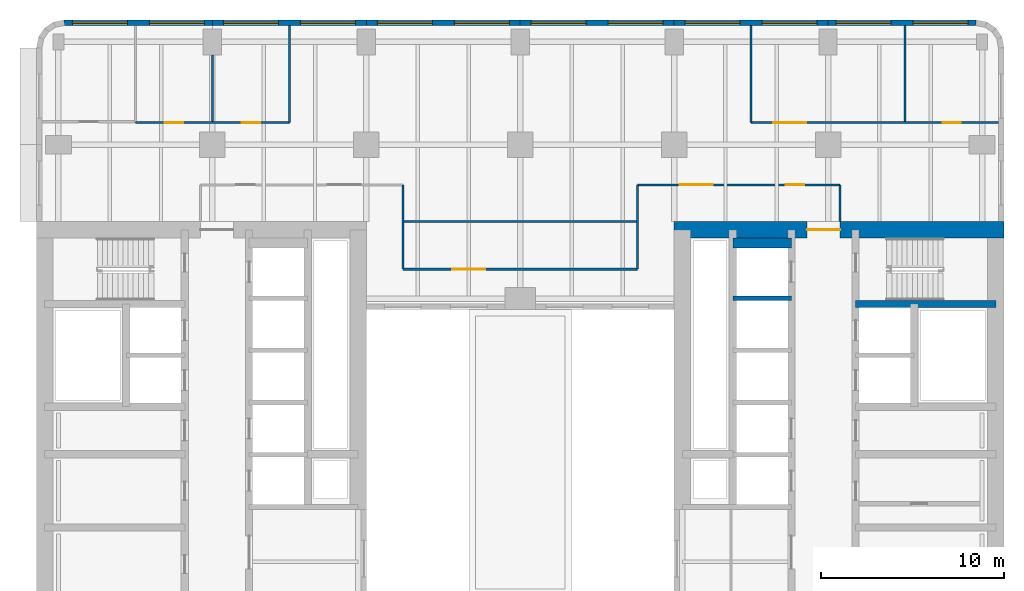
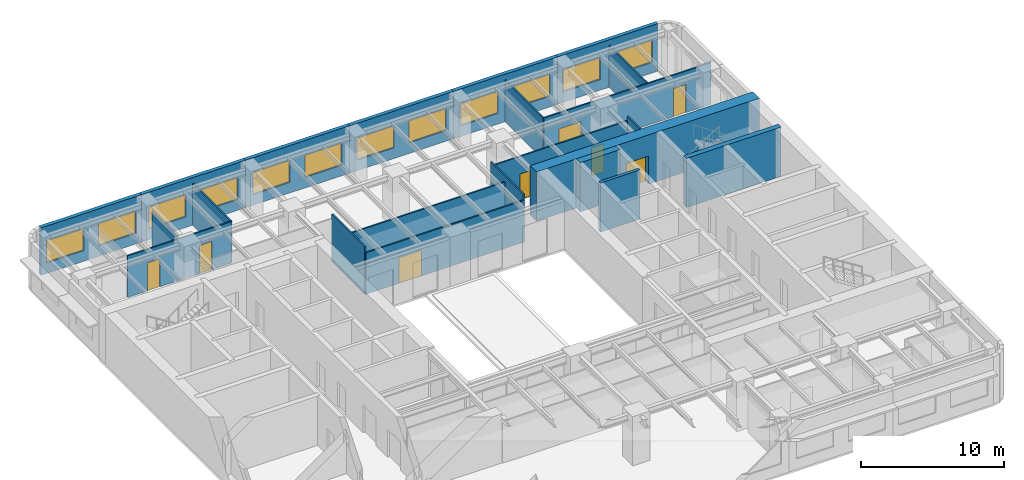
# One storey, part 7 of 14: 22 walls, 12 windows, 8 doors, 20 openings.
"""IFC4 building model written with IfcOpenShell, lengths in metres."""

import ifcopenshell
import ifcopenshell.guid

model = None  # the IFC model being written
_history = None  # IfcOwnerHistory: only IFC2X3 demands one
_inside = {}  # id of a spatial element -> (the spatial element, [elements in it])
_under = {}  # id of a project, library or spatial element -> (it, [spatial elements below it])
_declared = {}  # id of a project -> (the project, [libraries it declares])
_typed = {}  # id of a type object -> (the type object, [elements of that type])
_made_of = {}  # id of a material, layer set ... -> (it, [elements and type objects made of it])


def new_model(schema):
    """Start an empty IFC model of exactly this schema.

    Asked for "IFC4X3", IfcOpenShell would pick the latest addendum, in which some entities
    have other attributes; the version numbers below select the first issue.
    IFC2X3 requires an IfcOwnerHistory on every rooted entity: one is made here for all.
    """
    global model, _history
    if schema == "IFC4X3":
        model = ifcopenshell.file(schema_version=(4, 3, 0, 0))
    else:
        model = ifcopenshell.file(schema=schema)
    _inside.clear()
    _under.clear()
    _declared.clear()
    _typed.clear()
    _made_of.clear()
    _history = None
    if model.schema == "IFC2X3":
        org = make("IfcOrganization", Name="unknown")
        user = make(
            "IfcPersonAndOrganization",
            ThePerson=make("IfcPerson", FamilyName="unknown"),
            TheOrganization=org,
        )
        app = make(
            "IfcApplication",
            ApplicationDeveloper=org,
            Version="unknown",
            ApplicationFullName="unknown",
            ApplicationIdentifier="unknown",
        )
        _history = make(
            "IfcOwnerHistory",
            OwningUser=user,
            OwningApplication=app,
            ChangeAction="ADDED",
            CreationDate=0,
        )
    return model


def make(cls, **values):
    """One entity of the class cls with the attributes given. An attribute that is None is left unset."""
    return model.create_entity(
        cls, **{name: value for name, value in values.items() if value is not None}
    )


def rooted(cls, **values):
    """An entity with a GlobalId (a new one), such as an element, a storey or a relation."""
    return make(cls, GlobalId=ifcopenshell.guid.new(), OwnerHistory=_history, **values)


def si_unit(unit_type, name, prefix=None):
    """IfcSIUnit, for example si_unit("LENGTHUNIT", "METRE", prefix="MILLI")."""
    return make("IfcSIUnit", UnitType=unit_type, Prefix=prefix, Name=name)


def assignment(units):
    """IfcUnitAssignment: the units of a project."""
    return None if units is None else make("IfcUnitAssignment", Units=units)


def point(xyz):
    """IfcCartesianPoint."""
    return None if xyz is None else make("IfcCartesianPoint", Coordinates=xyz)


def direction(xyz):
    """IfcDirection."""
    return None if xyz is None else make("IfcDirection", DirectionRatios=xyz)


def frame(location, z_axis=None, x_axis=None):
    """IfcAxis2Placement3D, a coordinate frame: its origin and axes. An axis left out is left unset."""
    return make(
        "IfcAxis2Placement3D",
        Location=point(location),
        Axis=direction(z_axis),
        RefDirection=direction(x_axis),
    )


def frame_2d(location, x_axis=None):
    """IfcAxis2Placement2D, a coordinate frame in the plane: its origin and x axis."""
    return make(
        "IfcAxis2Placement2D", Location=point(location), RefDirection=direction(x_axis)
    )


def origin():
    """The frame at (0, 0, 0) with its axes left unset."""
    return frame((0.0, 0.0, 0.0))


def place(relative_to, where):
    """IfcLocalPlacement: puts the frame where relative to a parent placement (None: the world)."""
    return make(
        "IfcLocalPlacement", PlacementRelTo=relative_to, RelativePlacement=where
    )


def context(
    kind, dimensions, precision=None, world=None, true_north=None, identifier=None
):
    """IfcGeometricRepresentationContext, for example the 3D "Model" context."""
    return make(
        "IfcGeometricRepresentationContext",
        ContextIdentifier=identifier,
        ContextType=kind,
        CoordinateSpaceDimension=dimensions,
        Precision=precision,
        WorldCoordinateSystem=world,
        TrueNorth=true_north,
    )


def subcontext(parent, identifier, kind, view, scale=None):
    """IfcGeometricRepresentationSubContext, for example "Body" below "Model"."""
    return make(
        "IfcGeometricRepresentationSubContext",
        ContextIdentifier=identifier,
        ContextType=kind,
        ParentContext=parent,
        TargetScale=scale,
        TargetView=view,
    )


def project(units=None, contexts=None):
    """IfcProject with its units and contexts."""
    return rooted(
        "IfcProject",
        Name="project",
        RepresentationContexts=contexts,
        UnitsInContext=assignment(units),
    )


def spatial(cls, under=None, at=None, **own):
    """A site, building, storey or space (cls), placed at a placement, below another one or the project."""
    s = rooted(cls, ObjectPlacement=at, **own)
    if under is not None:
        _under.setdefault(under.id(), (under, []))[1].append(s)
    return s


def profile(cls, at=None, kind="AREA", **sizes):
    """A parametric profile (cls). Its sizes go by their IFC names, for example OverallWidth=200.0."""
    return make(cls, ProfileType=kind, Position=at, **sizes)


def rectangle(**sizes):
    """IfcRectangleProfileDef."""
    return profile("IfcRectangleProfileDef", **sizes)


def extrude(swept, where, along, depth):
    """IfcExtrudedAreaSolid: the profile swept, set in the frame where, extruded along a direction by depth."""
    return make(
        "IfcExtrudedAreaSolid",
        SweptArea=swept,
        Position=where,
        ExtrudedDirection=direction(along),
        Depth=depth,
    )


def shape(context_of_items, identifier, shape_type, items):
    """IfcShapeRepresentation: the items that make up one representation, for example the "Body"."""
    return make(
        "IfcShapeRepresentation",
        ContextOfItems=context_of_items,
        RepresentationIdentifier=identifier,
        RepresentationType=shape_type,
        Items=items,
    )


def material(Name=None, Category=None):
    """IfcMaterial."""
    return make("IfcMaterial", Name=Name, Category=Category)


def layer(
    of_material, thickness, ventilated=None, Name=None, Category=None, Priority=None
):
    """IfcMaterialLayer: one layer of a wall or slab, of a material (None: an air gap)."""
    return make(
        "IfcMaterialLayer",
        Material=of_material,
        LayerThickness=thickness,
        IsVentilated=ventilated,
        Name=Name,
        Category=Category,
        Priority=Priority,
    )


def layer_set(layers, Name=None):
    """IfcMaterialLayerSet."""
    return make("IfcMaterialLayerSet", MaterialLayers=layers, LayerSetName=Name)


def made_of(thing, what):
    """Note that an element or type object is made of a material, layer set ...; save() writes the relation."""
    if what is not None:
        _made_of.setdefault(what.id(), (what, []))[1].append(thing)
    return thing


def type_object(cls, material=None, **own):
    """A type object (cls), such as IfcWallType, which elements share."""
    return made_of(rooted(cls, **own), material)


def element(
    cls,
    number,
    at=None,
    inside=None,
    cuts=None,
    type_object=None,
    material=None,
    context=None,
    identifier="Body",
    shape_type=None,
    held_by="IfcProductDefinitionShape",
    body=None,
    shapes=None,
    **own,
):
    """One element of the class cls, such as IfcWall. Its Tag is "e" and its number.

    at: its placement. inside: the storey or other place that contains it. cuts: it is an
    opening in that element (IfcRelVoidsElement). A single representation is given by context,
    identifier, shape_type and body (its items); several are given by shapes. held_by: the class
    of the entity that holds the representations. save() writes the other relations.
    """
    e = rooted(cls, Tag="e%d" % number, ObjectPlacement=at, **own)
    if body is not None:
        shapes = [shape(context, identifier, shape_type, body)]
    if shapes is not None:
        e.Representation = make(held_by, Representations=shapes)
    if inside is not None:
        _inside.setdefault(inside.id(), (inside, []))[1].append(e)
    if cuts is not None:
        rooted(
            "IfcRelVoidsElement", RelatingBuildingElement=cuts, RelatedOpeningElement=e
        )
    if type_object is not None:
        _typed.setdefault(type_object.id(), (type_object, []))[1].append(e)
    return made_of(e, material)


def fill(opening, filler):
    """IfcRelFillsElement: the door or window that sits in an opening."""
    return rooted(
        "IfcRelFillsElement",
        RelatingOpeningElement=opening,
        RelatedBuildingElement=filler,
    )


def aggregate(whole, parts):
    """IfcRelAggregates: a whole, such as a stair, and the parts it consists of."""
    return rooted("IfcRelAggregates", RelatingObject=whole, RelatedObjects=parts)


def save(model, path):
    """Write the relations noted so far, then the file.

    IfcRelAggregates (storeys below a building ...), IfcRelContainedInSpatialStructure (elements
    in a storey), IfcRelDefinesByType, IfcRelAssociatesMaterial and IfcRelDeclares: one each for
    every whole, place, type object, material and project.
    """
    for whole, parts in _under.values():
        aggregate(whole, parts)
    for where, things in _inside.values():
        rooted(
            "IfcRelContainedInSpatialStructure",
            RelatedElements=things,
            RelatingStructure=where,
        )
    for kind, things in _typed.values():
        rooted("IfcRelDefinesByType", RelatedObjects=things, RelatingType=kind)
    for what, things in _made_of.values():
        rooted("IfcRelAssociatesMaterial", RelatedObjects=things, RelatingMaterial=what)
    for by, libraries in _declared.values():
        rooted("IfcRelDeclares", RelatingContext=by, RelatedDefinitions=libraries)
    model.write(path)


model = new_model("IFC4")

# Units and contexts
model_context = context("Model", 3, precision=1e-05, world=origin(), true_north=direction((0.0, 1.0)))
body_context = subcontext(model_context, "Body", "Model", "MODEL_VIEW")
ifc_project = project(units=[si_unit("LENGTHUNIT", "METRE"), si_unit("AREAUNIT", "SQUARE_METRE"), si_unit("VOLUMEUNIT", "CUBIC_METRE"), si_unit("PLANEANGLEUNIT", "RADIAN"), si_unit("MASSUNIT", "GRAM", prefix="KILO")], contexts=[model_context])

# Site, building, storey
site_placement = place(None, origin())
site = spatial("IfcSite", under=ifc_project, at=site_placement, CompositionType="ELEMENT")
building_placement = place(site_placement, origin())
building = spatial("IfcBuilding", under=site, at=building_placement, Name="Claustro Exchange Tower", CompositionType="ELEMENT")
storey_placement = place(building_placement, frame((0.0, 0.0, 100.800048828125)))
storey = spatial("IfcBuildingStorey", under=building, at=storey_placement, Name="L22", CompositionType="ELEMENT", Elevation=100.800048828125)

# Wall, openings, doors
ifc_material_1 = material(Name="Laminated glass in aluminium frame", Category="aluminium")
ifc_layer_1 = layer(ifc_material_1, 0.1201171875)
ifc_layer_set_1 = layer_set([ifc_layer_1], Name="Laminated glass in aluminium frame")
wall_type_1 = type_object("IfcWallType", Name="P2 120 glazed partition", PredefinedType="PARTITIONING", material=ifc_layer_set_1)
wall_1_placement = place(storey_placement, frame((4.197998046875, 43.199951171875, 0.0), z_axis=(0.0, 0.0, 1.0), x_axis=(1.0, 0.0, 0.0)))
wall_1 = element("IfcWall", 1, at=wall_1_placement, inside=storey, type_object=wall_type_1, Name="Partition P2 L22", PredefinedType="PARTITIONING", context=body_context, shape_type="SweptSolid", body=[
    extrude(rectangle(XDim=8.402099609375, YDim=0.1201171875, at=frame_2d((4.201171875, 0.0))), origin(), (0.0, 0.0, 1.0), 3.550048828125),
])
opening_1_placement = place(wall_1_placement, frame((1.60205078125, 0.0, 0.0)))
opening_1 = element("IfcOpeningElement", 2, at=opening_1_placement, cuts=wall_1, Name="Opening D7", PredefinedType="OPENING", context=body_context, shape_type="SweptSolid", body=[
    extrude(rectangle(XDim=1.0, YDim=2.39990234375, at=frame_2d((0.5, 1.199951171875))), frame((0.0, 0.070068359375, 0.0), z_axis=(0.0, -1.0, 0.0), x_axis=(1.0, 0.0, 0.0)), (0.0, 0.0, 1.0), 0.14013671875),
])
opening_2_placement = place(wall_1_placement, frame((5.802001953125, 0.0, 0.0)))
opening_2 = element("IfcOpeningElement", 3, at=opening_2_placement, cuts=wall_1, Name="Opening D7", PredefinedType="OPENING", context=body_context, shape_type="SweptSolid", body=[
    extrude(rectangle(XDim=1.0, YDim=2.39990234375, at=frame_2d((0.5, 1.199951171875))), frame((0.0, 0.070068359375, 0.0), z_axis=(0.0, -1.0, 0.0), x_axis=(1.0, 0.0, 0.0)), (0.0, 0.0, 1.0), 0.14013671875),
])
ifc_material_2 = material(Name="Glass door in aluminium frame", Category="aluminium")
door_type_1 = type_object("IfcDoorType", Name="D7 1000 x 2400 glazed door", OperationType="SINGLE_SWING_LEFT", PredefinedType="DOOR", material=ifc_material_2)
door_1_placement = place(opening_1_placement, origin())
door_1 = element("IfcDoor", 4, at=door_1_placement, inside=storey, type_object=door_type_1, Name="Door D7 L22", OperationType="SINGLE_SWING_RIGHT", OverallHeight=2.39990234375, OverallWidth=1.0, PredefinedType="DOOR", context=body_context, shape_type="SweptSolid", body=[
    extrude(rectangle(XDim=1.0, YDim=2.39990234375, at=frame_2d((0.5, 1.199951171875))), frame((0.0, 0.02490234375, 0.0), z_axis=(0.0, -1.0, 0.0), x_axis=(1.0, 0.0, 0.0)), (0.0, 0.0, 1.0), 0.050048828125),
])
fill(opening_1, door_1)
door_2_placement = place(opening_2_placement, origin())
door_2 = element("IfcDoor", 5, at=door_2_placement, inside=storey, type_object=door_type_1, Name="Door D7 L22", OperationType="SINGLE_SWING_LEFT", OverallHeight=2.39990234375, OverallWidth=1.0, PredefinedType="DOOR", context=body_context, shape_type="SweptSolid", body=[
    extrude(rectangle(XDim=1.0, YDim=2.39990234375, at=frame_2d((0.5, 1.199951171875))), frame((0.0, 0.02490234375, 0.0), z_axis=(0.0, -1.0, 0.0), x_axis=(1.0, 0.0, 0.0)), (0.0, 0.0, 1.0), 0.050048828125),
])
fill(opening_2, door_2)

# Walls
wall_2_placement = place(storey_placement, frame((8.39990234375, 43.258056640625, 0.0), z_axis=(0.0, 0.0, 1.0), x_axis=(0.0, 1.0, 0.0)))
element("IfcWall", 6, at=wall_2_placement, inside=storey, type_object=wall_type_1, Name="Partition P2 L22", PredefinedType="PARTITIONING", context=body_context, shape_type="SweptSolid", body=[
    extrude(rectangle(XDim=3.642822265625, YDim=0.1201171875, at=frame_2d((1.8212890625, 0.0))), origin(), (0.0, 0.0, 1.0), 3.550048828125),
])
wall_3_placement = place(storey_placement, frame((12.60009765625, 43.199951171875, 0.0), z_axis=(0.0, 0.0, 1.0), x_axis=(0.0, 1.0, 0.0)))
element("IfcWall", 7, at=wall_3_placement, inside=storey, type_object=wall_type_1, Name="Partition P2 L22", PredefinedType="PARTITIONING", context=body_context, shape_type="SweptSolid", body=[
    extrude(rectangle(XDim=5.302001953125, YDim=0.1201171875, at=frame_2d((2.65087890625, 0.0))), origin(), (0.0, 0.0, 1.0), 3.56005859375),
])

# Wall, openings, doors
wall_4_placement = place(storey_placement, frame((37.800048828125, 43.199951171875, 0.0), z_axis=(0.0, 0.0, 1.0), x_axis=(1.0, 0.0, 0.0)))
wall_4 = element("IfcWall", 8, at=wall_4_placement, inside=storey, type_object=wall_type_1, Name="Partition P2 L22", PredefinedType="PARTITIONING", context=body_context, shape_type="SweptSolid", body=[
    extrude(rectangle(XDim=13.501953125, YDim=0.1201171875, at=frame_2d((6.7509765625, 0.0))), origin(), (0.0, 0.0, 1.0), 3.550048828125),
])
opening_3_placement = place(wall_4_placement, frame((1.199951171875, 0.0, 0.0)))
opening_3 = element("IfcOpeningElement", 9, at=opening_3_placement, cuts=wall_4, Name="Opening D2", PredefinedType="OPENING", context=body_context, shape_type="SweptSolid", body=[
    extrude(rectangle(XDim=1.800048828125, YDim=2.199951171875, at=frame_2d((0.89990234375, 1.10009765625))), frame((0.0, 0.070068359375, 0.0), z_axis=(0.0, -1.0, 0.0), x_axis=(1.0, 0.0, 0.0)), (0.0, 0.0, 1.0), 0.14013671875),
])
opening_4_placement = place(wall_4_placement, frame((10.449951171875, 0.0, 0.0)))
opening_4 = element("IfcOpeningElement", 10, at=opening_4_placement, cuts=wall_4, Name="Opening D7", PredefinedType="OPENING", context=body_context, shape_type="SweptSolid", body=[
    extrude(rectangle(XDim=1.0, YDim=2.39990234375, at=frame_2d((0.5, 1.199951171875))), frame((0.0, 0.070068359375, 0.0), z_axis=(0.0, -1.0, 0.0), x_axis=(1.0, 0.0, 0.0)), (0.0, 0.0, 1.0), 0.14013671875),
])
ifc_material_3 = material(Name="Timber door, oak veneer", Category="wood")
door_type_2 = type_object("IfcDoorType", Name="D2 1800 x 2200 double door", OperationType="DOUBLE_DOOR_SINGLE_SWING", PredefinedType="DOOR", material=ifc_material_3)
door_3_placement = place(opening_3_placement, origin())
door_3 = element("IfcDoor", 11, at=door_3_placement, inside=storey, type_object=door_type_2, Name="Double door D2 L22", OperationType="DOUBLE_DOOR_SINGLE_SWING", OverallHeight=2.199951171875, OverallWidth=1.800048828125, PredefinedType="DOOR", context=body_context, shape_type="SweptSolid", body=[
    extrude(rectangle(XDim=1.800048828125, YDim=2.199951171875, at=frame_2d((0.89990234375, 1.10009765625))), frame((0.0, 0.02490234375, 0.0), z_axis=(0.0, -1.0, 0.0), x_axis=(1.0, 0.0, 0.0)), (0.0, 0.0, 1.0), 0.050048828125),
])
fill(opening_3, door_3)
door_4_placement = place(opening_4_placement, origin())
door_4 = element("IfcDoor", 12, at=door_4_placement, inside=storey, type_object=door_type_1, Name="Door D7 L22", OperationType="SINGLE_SWING_LEFT", OverallHeight=2.39990234375, OverallWidth=1.0, PredefinedType="DOOR", context=body_context, shape_type="SweptSolid", body=[
    extrude(rectangle(XDim=1.0, YDim=2.39990234375, at=frame_2d((0.5, 1.199951171875))), frame((0.0, 0.02490234375, 0.0), z_axis=(0.0, -1.0, 0.0), x_axis=(1.0, 0.0, 0.0)), (0.0, 0.0, 1.0), 0.050048828125),
])
fill(opening_4, door_4)

# Walls
wall_5_placement = place(storey_placement, frame((37.800048828125, 43.199951171875, 0.0), z_axis=(0.0, 0.0, 1.0), x_axis=(0.0, 1.0, 0.0)))
element("IfcWall", 13, at=wall_5_placement, inside=storey, type_object=wall_type_1, Name="Partition P2 L22", PredefinedType="PARTITIONING", context=body_context, shape_type="SweptSolid", body=[
    extrude(rectangle(XDim=5.302001953125, YDim=0.1201171875, at=frame_2d((2.65087890625, 0.0))), origin(), (0.0, 0.0, 1.0), 3.56005859375),
])
wall_6_placement = place(storey_placement, frame((46.199951171875, 43.258056640625, 0.0), z_axis=(0.0, 0.0, 1.0), x_axis=(0.0, 1.0, 0.0)))
element("IfcWall", 14, at=wall_6_placement, inside=storey, type_object=wall_type_1, Name="Partition P2 L22", PredefinedType="PARTITIONING", context=body_context, shape_type="SweptSolid", body=[
    extrude(rectangle(XDim=5.243896484375, YDim=0.1201171875, at=frame_2d((2.6220703125, 0.0))), origin(), (0.0, 0.0, 1.0), 3.56005859375),
])

# Wall, openings, doors
wall_7_placement = place(storey_placement, frame((31.60009765625, 39.800048828125, 0.0), z_axis=(0.0, 0.0, 1.0), x_axis=(1.0, 0.0, 0.0)))
wall_7 = element("IfcWall", 15, at=wall_7_placement, inside=storey, type_object=wall_type_1, Name="Partition P2 L22", PredefinedType="PARTITIONING", context=body_context, shape_type="SweptSolid", body=[
    extrude(rectangle(XDim=11.0498046875, YDim=0.1201171875, at=frame_2d((5.52490234375, 0.0))), origin(), (0.0, 0.0, 1.0), 3.68994140625),
])
opening_5_placement = place(wall_7_placement, frame((2.300048828125, 0.0, 0.0)))
opening_5 = element("IfcOpeningElement", 16, at=opening_5_placement, cuts=wall_7, Name="Opening D2", PredefinedType="OPENING", context=body_context, shape_type="SweptSolid", body=[
    extrude(rectangle(XDim=1.800048828125, YDim=2.199951171875, at=frame_2d((0.89990234375, 1.10009765625))), frame((0.0, 0.070068359375, 0.0), z_axis=(0.0, -1.0, 0.0), x_axis=(1.0, 0.0, 0.0)), (0.0, 0.0, 1.0), 0.14013671875),
])
opening_6_placement = place(wall_7_placement, frame((8.10009765625, 0.0, 0.0)))
opening_6 = element("IfcOpeningElement", 17, at=opening_6_placement, cuts=wall_7, Name="Opening D7", PredefinedType="OPENING", context=body_context, shape_type="SweptSolid", body=[
    extrude(rectangle(XDim=1.0, YDim=2.39990234375, at=frame_2d((0.5, 1.199951171875))), frame((0.0, 0.070068359375, 0.0), z_axis=(0.0, -1.0, 0.0), x_axis=(1.0, 0.0, 0.0)), (0.0, 0.0, 1.0), 0.14013671875),
])
door_5_placement = place(opening_5_placement, origin())
door_5 = element("IfcDoor", 18, at=door_5_placement, inside=storey, type_object=door_type_2, Name="Double door D2 L22", OperationType="DOUBLE_DOOR_SINGLE_SWING", OverallHeight=2.199951171875, OverallWidth=1.800048828125, PredefinedType="DOOR", context=body_context, shape_type="SweptSolid", body=[
    extrude(rectangle(XDim=1.800048828125, YDim=2.199951171875, at=frame_2d((0.89990234375, 1.10009765625))), frame((0.0, 0.02490234375, 0.0), z_axis=(0.0, -1.0, 0.0), x_axis=(1.0, 0.0, 0.0)), (0.0, 0.0, 1.0), 0.050048828125),
])
fill(opening_5, door_5)
door_6_placement = place(opening_6_placement, origin())
door_6 = element("IfcDoor", 19, at=door_6_placement, inside=storey, type_object=door_type_1, Name="Door D7 L22", OperationType="SINGLE_SWING_RIGHT", OverallHeight=2.39990234375, OverallWidth=1.0, PredefinedType="DOOR", context=body_context, shape_type="SweptSolid", body=[
    extrude(rectangle(XDim=1.0, YDim=2.39990234375, at=frame_2d((0.5, 1.199951171875))), frame((0.0, 0.02490234375, 0.0), z_axis=(0.0, -1.0, 0.0), x_axis=(1.0, 0.0, 0.0)), (0.0, 0.0, 1.0), 0.050048828125),
])
fill(opening_6, door_6)

# Walls
wall_8_placement = place(storey_placement, frame((42.64990234375, 37.800048828125, 0.0), z_axis=(0.0, 0.0, 1.0), x_axis=(0.0, 1.0, 0.0)))
element("IfcWall", 20, at=wall_8_placement, inside=storey, type_object=wall_type_1, Name="Partition P2 L22", PredefinedType="PARTITIONING", context=body_context, shape_type="SweptSolid", body=[
    extrude(rectangle(XDim=2.0, YDim=0.1201171875, at=frame_2d((1.0, 0.0))), origin(), (0.0, 0.0, 1.0), 4.050048828125),
])
for number, where, z_axis, x_axis, name in (
    (21, (18.800048828125, 35.199951171875, 0.0), (0.0, 0.0, 1.0), (0.0, 1.0, 0.0), "Partition P2 L22"),
    (22, (31.60009765625, 35.199951171875, 0.0), (0.0, 0.0, 1.0), (0.0, 1.0, 0.0), "Partition P2 L22"),
):
    element("IfcWall", number, at=place(storey_placement, frame(where, z_axis=z_axis, x_axis=x_axis)), inside=storey, type_object=wall_type_1, Name=name, PredefinedType="PARTITIONING", context=body_context, shape_type="SweptSolid", body=[
        extrude(rectangle(XDim=4.60009765625, YDim=0.1201171875, at=frame_2d((2.300048828125, 0.0))), origin(), (0.0, 0.0, 1.0), 4.050048828125),
    ])

# Wall, opening, door
wall_9_placement = place(storey_placement, frame((18.800048828125, 35.199951171875, 0.0), z_axis=(0.0, 0.0, 1.0), x_axis=(1.0, 0.0, 0.0)))
wall_9 = element("IfcWall", 23, at=wall_9_placement, inside=storey, type_object=wall_type_1, Name="Partition P2 L22", PredefinedType="PARTITIONING", context=body_context, shape_type="SweptSolid", body=[
    extrude(rectangle(XDim=12.800048828125, YDim=0.1201171875, at=frame_2d((6.39990234375, 0.0))), origin(), (0.0, 0.0, 1.0), 3.550048828125),
])
opening_7_placement = place(wall_9_placement, frame((2.699951171875, 0.0, 0.0)))
opening_7 = element("IfcOpeningElement", 24, at=opening_7_placement, cuts=wall_9, Name="Opening D2", PredefinedType="OPENING", context=body_context, shape_type="SweptSolid", body=[
    extrude(rectangle(XDim=1.800048828125, YDim=2.199951171875, at=frame_2d((0.89990234375, 1.10009765625))), frame((0.0, 0.070068359375, 0.0), z_axis=(0.0, -1.0, 0.0), x_axis=(1.0, 0.0, 0.0)), (0.0, 0.0, 1.0), 0.14013671875),
])
door_7_placement = place(opening_7_placement, origin())
door_7 = element("IfcDoor", 25, at=door_7_placement, inside=storey, type_object=door_type_2, Name="Double door D2 L22", OperationType="DOUBLE_DOOR_SINGLE_SWING", OverallHeight=2.199951171875, OverallWidth=1.800048828125, PredefinedType="DOOR", context=body_context, shape_type="SweptSolid", body=[
    extrude(rectangle(XDim=1.800048828125, YDim=2.199951171875, at=frame_2d((0.89990234375, 1.10009765625))), frame((0.0, 0.02490234375, 0.0), z_axis=(0.0, -1.0, 0.0), x_axis=(1.0, 0.0, 0.0)), (0.0, 0.0, 1.0), 0.050048828125),
])
fill(opening_7, door_7)

# Wall
wall_10_placement = place(storey_placement, frame((18.85791015625, 37.800048828125, 0.0), z_axis=(0.0, 0.0, 1.0), x_axis=(1.0, 0.0, 0.0)))
element("IfcWall", 26, at=wall_10_placement, inside=storey, type_object=wall_type_1, Name="Partition P2 L22", PredefinedType="PARTITIONING", context=body_context, shape_type="SweptSolid", body=[
    extrude(rectangle(XDim=12.68408203125, YDim=0.1201171875, at=frame_2d((6.342041015625, 0.0))), origin(), (0.0, 0.0, 1.0), 3.550048828125),
])

# Wall, openings, windows
ifc_material_4 = material(Name="Concrete HA-40 (C40/50), precast, white cement, acid-etched", Category="concrete")
ifc_layer_2 = layer(ifc_material_4, 0.300048828125)
ifc_layer_set_2 = layer_set([ifc_layer_2], Name="Concrete HA-40 (C40/50), precast, white cement, acid-etched")
wall_type_2 = type_object("IfcWallType", Name="PC1 300 precast concrete pier panel", PredefinedType="SOLIDWALL", material=ifc_layer_set_2)
wall_11_placement = place(storey_placement, frame((0.314697265625, 48.64990234375, 0.0), z_axis=(0.0, 0.0, 1.0), x_axis=(1.0, 0.0, 0.0)))
wall_11 = element("IfcWall", 27, at=wall_11_placement, inside=storey, type_object=wall_type_2, Name="Precast pier panel PC1 L22", PredefinedType="SOLIDWALL", context=body_context, shape_type="SweptSolid", body=[
    extrude(rectangle(XDim=8.085205078125, YDim=0.300048828125, at=frame_2d((4.04248046875, 0.0))), origin(), (0.0, 0.0, 1.0), 4.050048828125),
])
opening_8_placement = place(wall_11_placement, frame((0.442626953125, 0.0, 0.89990234375)))
opening_8 = element("IfcOpeningElement", 28, at=opening_8_placement, cuts=wall_11, Name="Opening W1", PredefinedType="OPENING", context=body_context, shape_type="SweptSolid", body=[
    extrude(rectangle(XDim=3.0, YDim=1.89990234375, at=frame_2d((1.5, 0.949951171875))), frame((0.0, 0.159912109375, 0.0), z_axis=(0.0, -1.0, 0.0), x_axis=(1.0, 0.0, 0.0)), (0.0, 0.0, 1.0), 0.320068359375),
])
opening_9_placement = place(wall_11_placement, frame((4.642578125, 0.0, 0.89990234375)))
opening_9 = element("IfcOpeningElement", 29, at=opening_9_placement, cuts=wall_11, Name="Opening W1", PredefinedType="OPENING", context=body_context, shape_type="SweptSolid", body=[
    extrude(rectangle(XDim=3.0, YDim=1.89990234375, at=frame_2d((1.5, 0.949951171875))), frame((0.0, 0.159912109375, 0.0), z_axis=(0.0, -1.0, 0.0), x_axis=(1.0, 0.0, 0.0)), (0.0, 0.0, 1.0), 0.320068359375),
])
ifc_material_5 = material(Name="Aluminium frame, clear double glazing", Category="aluminium")
window_type = type_object("IfcWindowType", Name="W1 3000 x 1900 window", PartitioningType="SINGLE_PANEL", PredefinedType="WINDOW", material=ifc_material_5)
window_1_placement = place(opening_8_placement, origin())
window_1 = element("IfcWindow", 30, at=window_1_placement, inside=storey, type_object=window_type, Name="Window W1 L22", OverallHeight=1.89990234375, OverallWidth=3.0, PartitioningType="SINGLE_PANEL", PredefinedType="WINDOW", context=body_context, shape_type="SweptSolid", body=[
    extrude(rectangle(XDim=3.0, YDim=1.89990234375, at=frame_2d((1.5, 0.949951171875))), frame((0.0, 0.030029296875, 0.0), z_axis=(0.0, -1.0, 0.0), x_axis=(1.0, 0.0, 0.0)), (0.0, 0.0, 1.0), 0.06005859375),
])
fill(opening_8, window_1)
window_2_placement = place(opening_9_placement, origin())
window_2 = element("IfcWindow", 31, at=window_2_placement, inside=storey, type_object=window_type, Name="Window W1 L22", OverallHeight=1.89990234375, OverallWidth=3.0, PartitioningType="SINGLE_PANEL", PredefinedType="WINDOW", context=body_context, shape_type="SweptSolid", body=[
    extrude(rectangle(XDim=3.0, YDim=1.89990234375, at=frame_2d((1.5, 0.949951171875))), frame((0.0, 0.030029296875, 0.0), z_axis=(0.0, -1.0, 0.0), x_axis=(1.0, 0.0, 0.0)), (0.0, 0.0, 1.0), 0.06005859375),
])
fill(opening_9, window_2)

wall_12_placement = place(storey_placement, frame((8.39990234375, 48.64990234375, 0.0), z_axis=(0.0, 0.0, 1.0), x_axis=(1.0, 0.0, 0.0)))
wall_12 = element("IfcWall", 32, at=wall_12_placement, inside=storey, type_object=wall_type_2, Name="Precast pier panel PC1 L22", PredefinedType="SOLIDWALL", context=body_context, shape_type="SweptSolid", body=[
    extrude(rectangle(XDim=8.400146484375, YDim=0.300048828125, at=frame_2d((4.2001953125, 0.0))), origin(), (0.0, 0.0, 1.0), 4.050048828125),
])
opening_10_placement = place(wall_12_placement, frame((0.60009765625, 0.0, 0.89990234375)))
opening_10 = element("IfcOpeningElement", 33, at=opening_10_placement, cuts=wall_12, Name="Opening W1", PredefinedType="OPENING", context=body_context, shape_type="SweptSolid", body=[
    extrude(rectangle(XDim=3.0, YDim=1.89990234375, at=frame_2d((1.5, 0.949951171875))), frame((0.0, 0.159912109375, 0.0), z_axis=(0.0, -1.0, 0.0), x_axis=(1.0, 0.0, 0.0)), (0.0, 0.0, 1.0), 0.320068359375),
])
opening_11_placement = place(wall_12_placement, frame((4.800048828125, 0.0, 0.89990234375)))
opening_11 = element("IfcOpeningElement", 34, at=opening_11_placement, cuts=wall_12, Name="Opening W1", PredefinedType="OPENING", context=body_context, shape_type="SweptSolid", body=[
    extrude(rectangle(XDim=3.0, YDim=1.89990234375, at=frame_2d((1.5, 0.949951171875))), frame((0.0, 0.159912109375, 0.0), z_axis=(0.0, -1.0, 0.0), x_axis=(1.0, 0.0, 0.0)), (0.0, 0.0, 1.0), 0.320068359375),
])
window_3_placement = place(opening_10_placement, origin())
window_3 = element("IfcWindow", 35, at=window_3_placement, inside=storey, type_object=window_type, Name="Window W1 L22", OverallHeight=1.89990234375, OverallWidth=3.0, PartitioningType="SINGLE_PANEL", PredefinedType="WINDOW", context=body_context, shape_type="SweptSolid", body=[
    extrude(rectangle(XDim=3.0, YDim=1.89990234375, at=frame_2d((1.5, 0.949951171875))), frame((0.0, 0.030029296875, 0.0), z_axis=(0.0, -1.0, 0.0), x_axis=(1.0, 0.0, 0.0)), (0.0, 0.0, 1.0), 0.06005859375),
])
fill(opening_10, window_3)
window_4_placement = place(opening_11_placement, origin())
window_4 = element("IfcWindow", 36, at=window_4_placement, inside=storey, type_object=window_type, Name="Window W1 L22", OverallHeight=1.89990234375, OverallWidth=3.0, PartitioningType="SINGLE_PANEL", PredefinedType="WINDOW", context=body_context, shape_type="SweptSolid", body=[
    extrude(rectangle(XDim=3.0, YDim=1.89990234375, at=frame_2d((1.5, 0.949951171875))), frame((0.0, 0.030029296875, 0.0), z_axis=(0.0, -1.0, 0.0), x_axis=(1.0, 0.0, 0.0)), (0.0, 0.0, 1.0), 0.06005859375),
])
fill(opening_11, window_4)

wall_13_placement = place(storey_placement, frame((16.800048828125, 48.64990234375, 0.0), z_axis=(0.0, 0.0, 1.0), x_axis=(1.0, 0.0, 0.0)))
wall_13 = element("IfcWall", 37, at=wall_13_placement, inside=storey, type_object=wall_type_2, Name="Precast pier panel PC1 L22", PredefinedType="SOLIDWALL", context=body_context, shape_type="SweptSolid", body=[
    extrude(rectangle(XDim=8.39990234375, YDim=0.300048828125, at=frame_2d((4.199951171875, 0.0))), origin(), (0.0, 0.0, 1.0), 4.050048828125),
])
opening_12_placement = place(wall_13_placement, frame((0.60009765625, 0.0, 0.89990234375)))
opening_12 = element("IfcOpeningElement", 38, at=opening_12_placement, cuts=wall_13, Name="Opening W1", PredefinedType="OPENING", context=body_context, shape_type="SweptSolid", body=[
    extrude(rectangle(XDim=3.0, YDim=1.89990234375, at=frame_2d((1.5, 0.949951171875))), frame((0.0, 0.159912109375, 0.0), z_axis=(0.0, -1.0, 0.0), x_axis=(1.0, 0.0, 0.0)), (0.0, 0.0, 1.0), 0.320068359375),
])
opening_13_placement = place(wall_13_placement, frame((4.800048828125, 0.0, 0.89990234375)))
opening_13 = element("IfcOpeningElement", 39, at=opening_13_placement, cuts=wall_13, Name="Opening W1", PredefinedType="OPENING", context=body_context, shape_type="SweptSolid", body=[
    extrude(rectangle(XDim=3.0, YDim=1.89990234375, at=frame_2d((1.5, 0.949951171875))), frame((0.0, 0.159912109375, 0.0), z_axis=(0.0, -1.0, 0.0), x_axis=(1.0, 0.0, 0.0)), (0.0, 0.0, 1.0), 0.320068359375),
])
window_5_placement = place(opening_12_placement, origin())
window_5 = element("IfcWindow", 40, at=window_5_placement, inside=storey, type_object=window_type, Name="Window W1 L22", OverallHeight=1.89990234375, OverallWidth=3.0, PartitioningType="SINGLE_PANEL", PredefinedType="WINDOW", context=body_context, shape_type="SweptSolid", body=[
    extrude(rectangle(XDim=3.0, YDim=1.89990234375, at=frame_2d((1.5, 0.949951171875))), frame((0.0, 0.030029296875, 0.0), z_axis=(0.0, -1.0, 0.0), x_axis=(1.0, 0.0, 0.0)), (0.0, 0.0, 1.0), 0.06005859375),
])
fill(opening_12, window_5)
window_6_placement = place(opening_13_placement, origin())
window_6 = element("IfcWindow", 41, at=window_6_placement, inside=storey, type_object=window_type, Name="Window W1 L22", OverallHeight=1.89990234375, OverallWidth=3.0, PartitioningType="SINGLE_PANEL", PredefinedType="WINDOW", context=body_context, shape_type="SweptSolid", body=[
    extrude(rectangle(XDim=3.0, YDim=1.89990234375, at=frame_2d((1.5, 0.949951171875))), frame((0.0, 0.030029296875, 0.0), z_axis=(0.0, -1.0, 0.0), x_axis=(1.0, 0.0, 0.0)), (0.0, 0.0, 1.0), 0.06005859375),
])
fill(opening_13, window_6)

wall_14_placement = place(storey_placement, frame((25.199951171875, 48.64990234375, 0.0), z_axis=(0.0, 0.0, 1.0), x_axis=(1.0, 0.0, 0.0)))
wall_14 = element("IfcWall", 42, at=wall_14_placement, inside=storey, type_object=wall_type_2, Name="Precast pier panel PC1 L22", PredefinedType="SOLIDWALL", context=body_context, shape_type="SweptSolid", body=[
    extrude(rectangle(XDim=8.400146484375, YDim=0.300048828125, at=frame_2d((4.2001953125, 0.0))), origin(), (0.0, 0.0, 1.0), 4.050048828125),
])
opening_14_placement = place(wall_14_placement, frame((0.60009765625, 0.0, 0.89990234375)))
opening_14 = element("IfcOpeningElement", 43, at=opening_14_placement, cuts=wall_14, Name="Opening W1", PredefinedType="OPENING", context=body_context, shape_type="SweptSolid", body=[
    extrude(rectangle(XDim=3.0, YDim=1.89990234375, at=frame_2d((1.5, 0.949951171875))), frame((0.0, 0.159912109375, 0.0), z_axis=(0.0, -1.0, 0.0), x_axis=(1.0, 0.0, 0.0)), (0.0, 0.0, 1.0), 0.320068359375),
])
opening_15_placement = place(wall_14_placement, frame((4.800048828125, 0.0, 0.89990234375)))
opening_15 = element("IfcOpeningElement", 44, at=opening_15_placement, cuts=wall_14, Name="Opening W1", PredefinedType="OPENING", context=body_context, shape_type="SweptSolid", body=[
    extrude(rectangle(XDim=3.0, YDim=1.89990234375, at=frame_2d((1.5, 0.949951171875))), frame((0.0, 0.159912109375, 0.0), z_axis=(0.0, -1.0, 0.0), x_axis=(1.0, 0.0, 0.0)), (0.0, 0.0, 1.0), 0.320068359375),
])
window_7_placement = place(opening_14_placement, origin())
window_7 = element("IfcWindow", 45, at=window_7_placement, inside=storey, type_object=window_type, Name="Window W1 L22", OverallHeight=1.89990234375, OverallWidth=3.0, PartitioningType="SINGLE_PANEL", PredefinedType="WINDOW", context=body_context, shape_type="SweptSolid", body=[
    extrude(rectangle(XDim=3.0, YDim=1.89990234375, at=frame_2d((1.5, 0.949951171875))), frame((0.0, 0.030029296875, 0.0), z_axis=(0.0, -1.0, 0.0), x_axis=(1.0, 0.0, 0.0)), (0.0, 0.0, 1.0), 0.06005859375),
])
fill(opening_14, window_7)
window_8_placement = place(opening_15_placement, origin())
window_8 = element("IfcWindow", 46, at=window_8_placement, inside=storey, type_object=window_type, Name="Window W1 L22", OverallHeight=1.89990234375, OverallWidth=3.0, PartitioningType="SINGLE_PANEL", PredefinedType="WINDOW", context=body_context, shape_type="SweptSolid", body=[
    extrude(rectangle(XDim=3.0, YDim=1.89990234375, at=frame_2d((1.5, 0.949951171875))), frame((0.0, 0.030029296875, 0.0), z_axis=(0.0, -1.0, 0.0), x_axis=(1.0, 0.0, 0.0)), (0.0, 0.0, 1.0), 0.06005859375),
])
fill(opening_15, window_8)

wall_15_placement = place(storey_placement, frame((33.60009765625, 48.64990234375, 0.0), z_axis=(0.0, 0.0, 1.0), x_axis=(1.0, 0.0, 0.0)))
wall_15 = element("IfcWall", 47, at=wall_15_placement, inside=storey, type_object=wall_type_2, Name="Precast pier panel PC1 L22", PredefinedType="SOLIDWALL", context=body_context, shape_type="SweptSolid", body=[
    extrude(rectangle(XDim=8.39990234375, YDim=0.300048828125, at=frame_2d((4.199951171875, 0.0))), origin(), (0.0, 0.0, 1.0), 4.050048828125),
])
opening_16_placement = place(wall_15_placement, frame((0.60009765625, 0.0, 0.89990234375)))
opening_16 = element("IfcOpeningElement", 48, at=opening_16_placement, cuts=wall_15, Name="Opening W1", PredefinedType="OPENING", context=body_context, shape_type="SweptSolid", body=[
    extrude(rectangle(XDim=3.0, YDim=1.89990234375, at=frame_2d((1.5, 0.949951171875))), frame((0.0, 0.159912109375, 0.0), z_axis=(0.0, -1.0, 0.0), x_axis=(1.0, 0.0, 0.0)), (0.0, 0.0, 1.0), 0.320068359375),
])
opening_17_placement = place(wall_15_placement, frame((4.800048828125, 0.0, 0.89990234375)))
opening_17 = element("IfcOpeningElement", 49, at=opening_17_placement, cuts=wall_15, Name="Opening W1", PredefinedType="OPENING", context=body_context, shape_type="SweptSolid", body=[
    extrude(rectangle(XDim=3.0, YDim=1.89990234375, at=frame_2d((1.5, 0.949951171875))), frame((0.0, 0.159912109375, 0.0), z_axis=(0.0, -1.0, 0.0), x_axis=(1.0, 0.0, 0.0)), (0.0, 0.0, 1.0), 0.320068359375),
])
window_9_placement = place(opening_16_placement, origin())
window_9 = element("IfcWindow", 50, at=window_9_placement, inside=storey, type_object=window_type, Name="Window W1 L22", OverallHeight=1.89990234375, OverallWidth=3.0, PartitioningType="SINGLE_PANEL", PredefinedType="WINDOW", context=body_context, shape_type="SweptSolid", body=[
    extrude(rectangle(XDim=3.0, YDim=1.89990234375, at=frame_2d((1.5, 0.949951171875))), frame((0.0, 0.030029296875, 0.0), z_axis=(0.0, -1.0, 0.0), x_axis=(1.0, 0.0, 0.0)), (0.0, 0.0, 1.0), 0.06005859375),
])
fill(opening_16, window_9)
window_10_placement = place(opening_17_placement, origin())
window_10 = element("IfcWindow", 51, at=window_10_placement, inside=storey, type_object=window_type, Name="Window W1 L22", OverallHeight=1.89990234375, OverallWidth=3.0, PartitioningType="SINGLE_PANEL", PredefinedType="WINDOW", context=body_context, shape_type="SweptSolid", body=[
    extrude(rectangle(XDim=3.0, YDim=1.89990234375, at=frame_2d((1.5, 0.949951171875))), frame((0.0, 0.030029296875, 0.0), z_axis=(0.0, -1.0, 0.0), x_axis=(1.0, 0.0, 0.0)), (0.0, 0.0, 1.0), 0.06005859375),
])
fill(opening_17, window_10)

wall_16_placement = place(storey_placement, frame((42.0, 48.64990234375, 0.0), z_axis=(0.0, 0.0, 1.0), x_axis=(1.0, 0.0, 0.0)))
wall_16 = element("IfcWall", 52, at=wall_16_placement, inside=storey, type_object=wall_type_2, Name="Precast pier panel PC1 L22", PredefinedType="SOLIDWALL", context=body_context, shape_type="SweptSolid", body=[
    extrude(rectangle(XDim=8.085205078125, YDim=0.300048828125, at=frame_2d((4.04248046875, 0.0))), origin(), (0.0, 0.0, 1.0), 4.050048828125),
])
opening_18_placement = place(wall_16_placement, frame((0.442626953125, 0.0, 0.89990234375)))
opening_18 = element("IfcOpeningElement", 53, at=opening_18_placement, cuts=wall_16, Name="Opening W1", PredefinedType="OPENING", context=body_context, shape_type="SweptSolid", body=[
    extrude(rectangle(XDim=3.0, YDim=1.89990234375, at=frame_2d((1.5, 0.949951171875))), frame((0.0, 0.159912109375, 0.0), z_axis=(0.0, -1.0, 0.0), x_axis=(1.0, 0.0, 0.0)), (0.0, 0.0, 1.0), 0.320068359375),
])
opening_19_placement = place(wall_16_placement, frame((4.642578125, 0.0, 0.89990234375)))
opening_19 = element("IfcOpeningElement", 54, at=opening_19_placement, cuts=wall_16, Name="Opening W1", PredefinedType="OPENING", context=body_context, shape_type="SweptSolid", body=[
    extrude(rectangle(XDim=3.0, YDim=1.89990234375, at=frame_2d((1.5, 0.949951171875))), frame((0.0, 0.159912109375, 0.0), z_axis=(0.0, -1.0, 0.0), x_axis=(1.0, 0.0, 0.0)), (0.0, 0.0, 1.0), 0.320068359375),
])
window_11_placement = place(opening_18_placement, origin())
window_11 = element("IfcWindow", 55, at=window_11_placement, inside=storey, type_object=window_type, Name="Window W1 L22", OverallHeight=1.89990234375, OverallWidth=3.0, PartitioningType="SINGLE_PANEL", PredefinedType="WINDOW", context=body_context, shape_type="SweptSolid", body=[
    extrude(rectangle(XDim=3.0, YDim=1.89990234375, at=frame_2d((1.5, 0.949951171875))), frame((0.0, 0.030029296875, 0.0), z_axis=(0.0, -1.0, 0.0), x_axis=(1.0, 0.0, 0.0)), (0.0, 0.0, 1.0), 0.06005859375),
])
fill(opening_18, window_11)
window_12_placement = place(opening_19_placement, origin())
window_12 = element("IfcWindow", 56, at=window_12_placement, inside=storey, type_object=window_type, Name="Window W1 L22", OverallHeight=1.89990234375, OverallWidth=3.0, PartitioningType="SINGLE_PANEL", PredefinedType="WINDOW", context=body_context, shape_type="SweptSolid", body=[
    extrude(rectangle(XDim=3.0, YDim=1.89990234375, at=frame_2d((1.5, 0.949951171875))), frame((0.0, 0.030029296875, 0.0), z_axis=(0.0, -1.0, 0.0), x_axis=(1.0, 0.0, 0.0)), (0.0, 0.0, 1.0), 0.06005859375),
])
fill(opening_19, window_12)

# Wall, opening, door
ifc_material_6 = material(Name="Concrete HA-70 (C70/85)", Category="concrete")
ifc_layer_3 = layer(ifc_material_6, 0.89990234375)
ifc_layer_set_3 = layer_set([ifc_layer_3], Name="Concrete HA-70 (C70/85)")
wall_type_3 = type_object("IfcWallType", Name="SW1 900 core shear wall", PredefinedType="SHEAR", material=ifc_layer_set_3)
wall_17_placement = place(storey_placement, frame((33.60009765625, 37.35009765625, 0.0), z_axis=(0.0, 0.0, 1.0), x_axis=(1.0, 0.0, 0.0)))
wall_17 = element("IfcWall", 57, at=wall_17_placement, inside=storey, type_object=wall_type_3, Name="Core wall SW1 E core N face L22", PredefinedType="SHEAR", context=body_context, shape_type="SweptSolid", body=[
    extrude(rectangle(XDim=18.0, YDim=0.89990234375, at=frame_2d((9.0, 0.0))), origin(), (0.0, 0.0, 1.0), 4.199951171875),
])
opening_20_placement = place(wall_17_placement, frame((7.25, 0.0, 0.0)))
opening_20 = element("IfcOpeningElement", 58, at=opening_20_placement, cuts=wall_17, Name="Opening D3", PredefinedType="OPENING", context=body_context, shape_type="SweptSolid", body=[
    extrude(rectangle(XDim=1.800048828125, YDim=2.39990234375, at=frame_2d((0.89990234375, 1.199951171875))), frame((0.0, 0.4599609375, 0.0), z_axis=(0.0, -1.0, 0.0), x_axis=(1.0, 0.0, 0.0)), (0.0, 0.0, 1.0), 0.919921875),
])
ifc_material_7 = material(Name="Steel fire door, painted", Category="steel")
door_type_3 = type_object("IfcDoorType", Name="D3 1800 x 2400 fire-rated lobby double door", OperationType="DOUBLE_DOOR_SINGLE_SWING", PredefinedType="DOOR", material=ifc_material_7)
door_8_placement = place(opening_20_placement, frame((1.800048828125, 0.0, 0.0), z_axis=(0.0, 0.0, 1.0), x_axis=(-1.0, 0.0, 0.0)))
door_8 = element("IfcDoor", 59, at=door_8_placement, inside=storey, type_object=door_type_3, Name="Lift lobby door D3 L22", OperationType="DOUBLE_DOOR_SINGLE_SWING", OverallHeight=2.39990234375, OverallWidth=1.800048828125, PredefinedType="DOOR", context=body_context, shape_type="SweptSolid", body=[
    extrude(rectangle(XDim=1.800048828125, YDim=2.39990234375, at=frame_2d((0.89990234375, 1.199951171875))), frame((0.0, 0.02490234375, 0.0), z_axis=(0.0, -1.0, 0.0), x_axis=(1.0, 0.0, 0.0)), (0.0, 0.0, 1.0), 0.050048828125),
])
fill(opening_20, door_8)

# Walls
ifc_material_8 = material(Name="Concrete HA-50 (C50/60)", Category="concrete")
ifc_layer_4 = layer(ifc_material_8, 0.39990234375)
ifc_layer_set_4 = layer_set([ifc_layer_4], Name="Concrete HA-50 (C50/60)")
wall_type_4 = type_object("IfcWallType", Name="SW4 400 internal core wall", PredefinedType="SHEAR", material=ifc_layer_set_4)
wall_18_placement = place(storey_placement, frame((51.14990234375, 33.300048828125, 0.0), z_axis=(0.0, 0.0, 1.0), x_axis=(-1.0, 0.0, 0.0)))
element("IfcWall", 60, at=wall_18_placement, inside=storey, type_object=wall_type_4, Name="Internal core wall SW4 E core L22", PredefinedType="SHEAR", context=body_context, shape_type="SweptSolid", body=[
    extrude(rectangle(XDim=7.64990234375, YDim=0.39990234375, at=frame_2d((3.824951171875, 0.0))), origin(), (0.0, 0.0, 1.0), 4.199951171875),
])
ifc_material_9 = material(Name="Concrete HA-50 (C50/60)", Category="concrete")
ifc_layer_5 = layer(ifc_material_9, 0.25)
ifc_layer_set_5 = layer_set([ifc_layer_5], Name="Concrete HA-50 (C50/60)")
wall_type_5 = type_object("IfcWallType", Name="SW5 250 lift shaft divider wall", PredefinedType="SHEAR", material=ifc_layer_set_5)
wall_19_placement = place(storey_placement, frame((40.0, 33.625, 0.0), z_axis=(0.0, 0.0, 1.0), x_axis=(-1.0, 0.0, 0.0)))
element("IfcWall", 61, at=wall_19_placement, inside=storey, type_object=wall_type_5, Name="Lift shaft wall E core L22", PredefinedType="SHEAR", context=body_context, shape_type="SweptSolid", body=[
    extrude(rectangle(XDim=3.199951171875, YDim=0.25, at=frame_2d((1.60009765625, 0.0))), origin(), (0.0, 0.0, 1.0), 4.199951171875),
])
ifc_material_10 = material(Name="Concrete HA-50 (C50/60)", Category="concrete")
ifc_layer_6 = layer(ifc_material_10, 0.550048828125)
ifc_layer_set_6 = layer_set([ifc_layer_6], Name="Concrete HA-50 (C50/60)")
wall_type_6 = type_object("IfcWallType", Name="SW6 550 lift shaft end wall", PredefinedType="SHEAR", material=ifc_layer_set_6)
wall_20_placement = place(storey_placement, frame((40.0, 36.625, 0.0), z_axis=(0.0, 0.0, 1.0), x_axis=(-1.0, 0.0, 0.0)))
element("IfcWall", 62, at=wall_20_placement, inside=storey, type_object=wall_type_6, Name="Lift shaft wall E core L22", PredefinedType="SHEAR", context=body_context, shape_type="SweptSolid", body=[
    extrude(rectangle(XDim=3.199951171875, YDim=0.550048828125, at=frame_2d((1.60009765625, 0.0))), origin(), (0.0, 0.0, 1.0), 4.199951171875),
])

save(model, "model.ifc")
